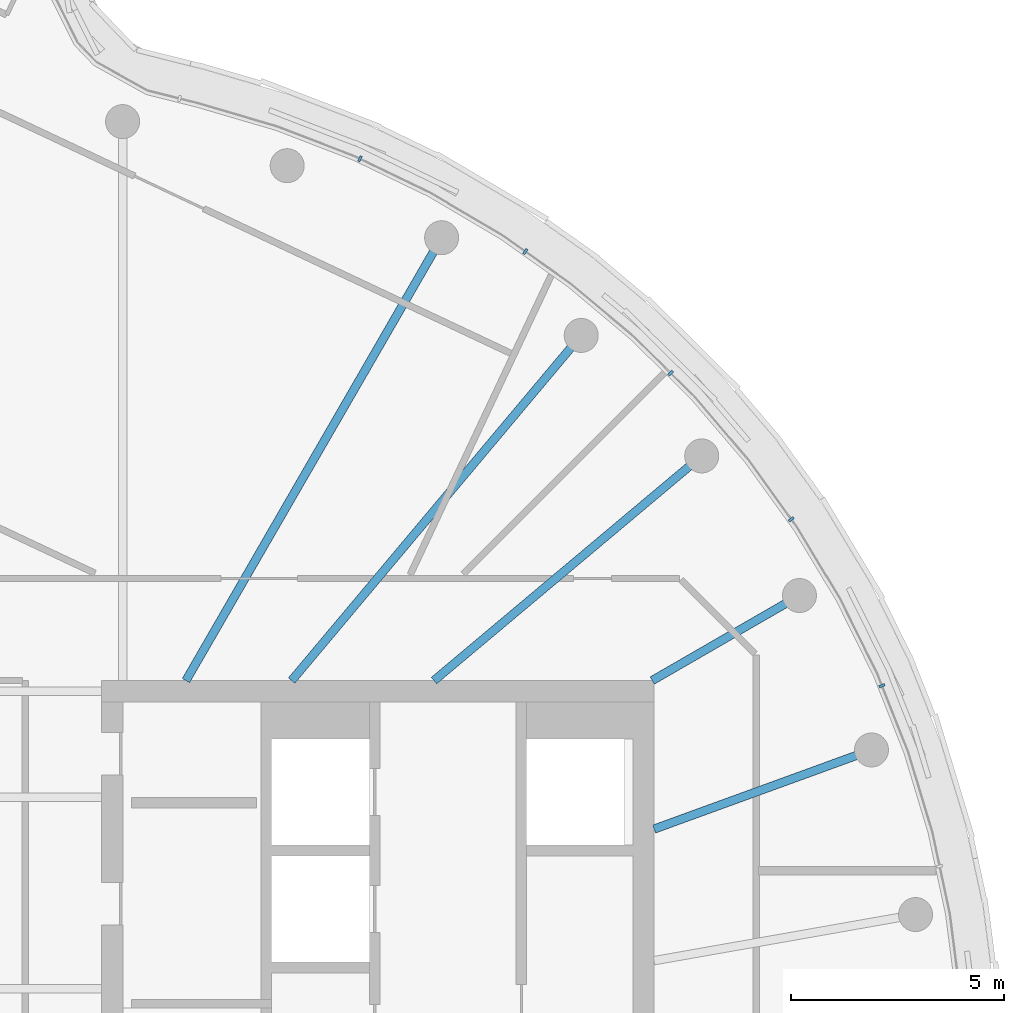
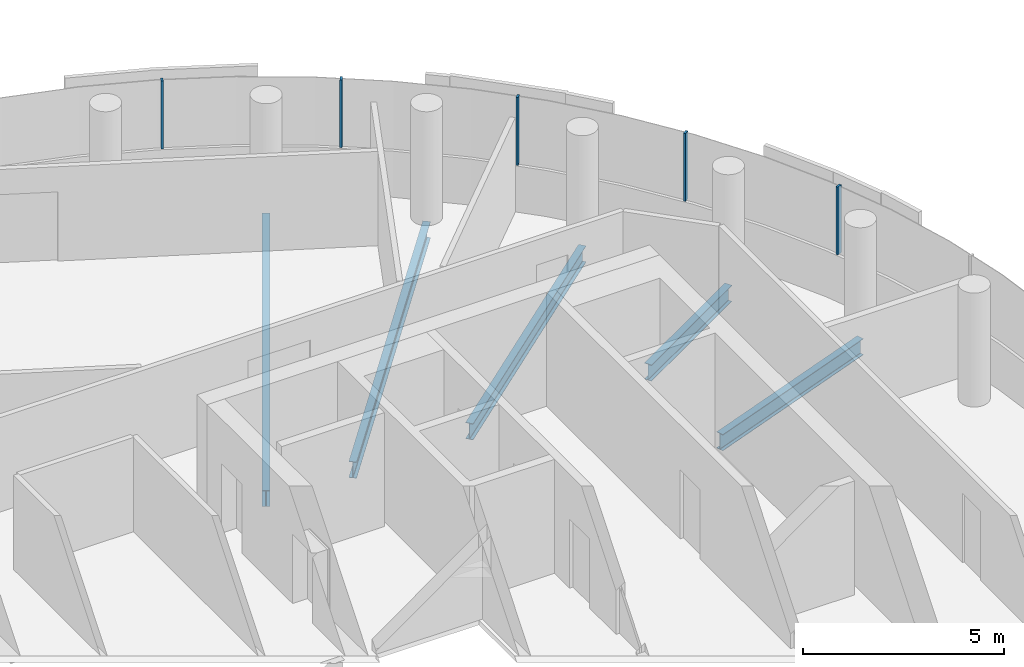
# One storey, part 11 of 21: 5 beams, 5 members, 1 element without a shape of its own.
"""IFC4 building model written with IfcOpenShell, lengths in metres."""

from ifc_helpers import new_model, si_unit, direction, frame, origin, origin_2d, place, context, subcontext, project, spatial, rectangle, i_section, extrude, material, layer, layer_set, material_profile, profile_set, type_object, element, aggregate, save


model = new_model("IFC4")

# Units and contexts
model_context = context("Model", 3, precision=1e-05, world=origin(), true_north=direction((0.0, 1.0)))
body_context = subcontext(model_context, "Body", "Model", "MODEL_VIEW")
ifc_project = project(units=[si_unit("LENGTHUNIT", "METRE"), si_unit("AREAUNIT", "SQUARE_METRE"), si_unit("VOLUMEUNIT", "CUBIC_METRE"), si_unit("PLANEANGLEUNIT", "RADIAN"), si_unit("MASSUNIT", "GRAM", prefix="KILO")], contexts=[model_context])

# Site, building, storey
site_placement = place(None, origin())
site = spatial("IfcSite", under=ifc_project, at=site_placement, CompositionType="ELEMENT")
building_placement = place(site_placement, origin())
building = spatial("IfcBuilding", under=site, at=building_placement, Name="Tamarind Cross Interchange Tower", CompositionType="ELEMENT")
storey_placement = place(building_placement, frame((0.0, 0.0, 267.60009765625)))
storey = spatial("IfcBuildingStorey", under=building, at=storey_placement, Name="L68", CompositionType="ELEMENT", Elevation=267.60009765625)

# Beams
ifc_material_1 = material(Name="Steel Q355B", Category="steel")
ifc_material_profile_1 = material_profile(ifc_material_1, i_section(OverallWidth=0.198974609375, OverallDepth=0.49609375, WebThickness=0.009033203125, FlangeThickness=0.013916015625, FilletRadius=0.012939453125, at=origin_2d()), Name="HN 496x199x9x14")
ifc_profile_set_1 = profile_set([ifc_material_profile_1], Name="Steel Q355B")
beam_type = type_object("IfcBeamType", Name="Composite beam HN 496x199x9x14 Q355B", PredefinedType="BEAM", material=ifc_profile_set_1)
beam_1_placement = place(storey_placement, frame((21.613037109375, 7.866455078125, -0.38818359375), z_axis=(-0.939701685589, -0.341995236956, 0.0), x_axis=(0.341995236956, -0.939701685589, 0.0)))
element("IfcBeam", 1, at=beam_1_placement, inside=storey, type_object=beam_type, Name="Beam HH02", PredefinedType="BEAM", context=body_context, shape_type="SweptSolid", body=[
    extrude(i_section(OverallWidth=0.198974609375, OverallDepth=0.49609375, WebThickness=0.009033203125, FlangeThickness=0.013916015625, FilletRadius=0.012939453125, at=origin_2d()), origin(), (0.0, 0.0, 1.0), 5.441162109375),
])
beam_2_placement = place(storey_placement, frame((19.918701171875, 11.5, -0.38818359375), z_axis=(-0.866026010844, -0.49999894854, 0.0), x_axis=(0.49999894854, -0.866026010844, 0.0)))
element("IfcBeam", 2, at=beam_2_placement, inside=storey, type_object=beam_type, Name="Beam HH03", PredefinedType="BEAM", context=body_context, shape_type="SweptSolid", body=[
    extrude(i_section(OverallWidth=0.198974609375, OverallDepth=0.49609375, WebThickness=0.009033203125, FlangeThickness=0.013916015625, FilletRadius=0.012939453125, at=origin_2d()), origin(), (0.0, 0.0, 1.0), 4.0),
])
beam_3_placement = place(storey_placement, frame((17.619140625, 14.7841796875, -0.38818359375), z_axis=(-0.766040580814, -0.642792212574, 0.0), x_axis=(0.642792212574, -0.766040580814, 0.0)))
element("IfcBeam", 3, at=beam_3_placement, inside=storey, type_object=beam_type, Name="Beam HH04", PredefinedType="BEAM", context=body_context, shape_type="SweptSolid", body=[
    extrude(i_section(OverallWidth=0.198974609375, OverallDepth=0.49609375, WebThickness=0.009033203125, FlangeThickness=0.013916015625, FilletRadius=0.012939453125, at=origin_2d()), origin(), (0.0, 0.0, 1.0), 8.220703125),
])
beam_4_placement = place(storey_placement, frame((14.7841796875, 17.619140625, -0.38818359375), z_axis=(-0.642786293979, -0.766045547127, 0.0), x_axis=(0.766045547127, -0.642786293979, 0.0)))
element("IfcBeam", 4, at=beam_4_placement, inside=storey, type_object=beam_type, Name="Beam HH05", PredefinedType="BEAM", context=body_context, shape_type="SweptSolid", body=[
    extrude(i_section(OverallWidth=0.198974609375, OverallDepth=0.49609375, WebThickness=0.009033203125, FlangeThickness=0.013916015625, FilletRadius=0.012939453125, at=origin_2d()), origin(), (0.0, 0.0, 1.0), 10.598876953125),
])
beam_5_placement = place(storey_placement, frame((11.5, 19.918701171875, -0.38818359375), z_axis=(-0.499993565836, -0.866029118519, 0.0), x_axis=(0.866029118519, -0.499993565836, 0.0)))
element("IfcBeam", 5, at=beam_5_placement, inside=storey, type_object=beam_type, Name="Beam HH06", PredefinedType="BEAM", context=body_context, shape_type="SweptSolid", body=[
    extrude(i_section(OverallWidth=0.198974609375, OverallDepth=0.49609375, WebThickness=0.009033203125, FlangeThickness=0.013916015625, FilletRadius=0.012939453125, at=origin_2d()), origin(), (0.0, 0.0, 1.0), 12.030517578125),
])

# Curtain wall, members
ifc_material_2 = material(Name="Aluminium 6063-T6", Category="aluminium")
ifc_layer = layer(ifc_material_2, 0.139892578125)
ifc_layer_set = layer_set([ifc_layer], Name="Aluminium 6063-T6")
curtain_wall_type = type_object("IfcCurtainWallType", Name="Hotel curtain wall, 4.5 m bays", PredefinedType="NOTDEFINED", material=ifc_layer_set)
curtain_wall_placement = place(storey_placement, origin())
curtain_wall = element("IfcCurtainWall", 6, at=curtain_wall_placement, inside=storey, type_object=curtain_wall_type, Name="CWS-L68-01", PredefinedType="NOTDEFINED")
ifc_material_profile_2 = material_profile(ifc_material_2, rectangle(XDim=0.06005859375, YDim=0.139892578125, at=origin_2d()), Name="Mullion CW2")
ifc_profile_set_2 = profile_set([ifc_material_profile_2], Name="Aluminium 6063-T6")
member_type = type_object("IfcMemberType", Name="Mullion CW2", PredefinedType="MULLION", material=ifc_profile_set_2)
member_1_placement = place(storey_placement, frame((21.85888671875, 9.37744140625, 1.39990234375), z_axis=(0.0, 0.0, 1.0), x_axis=(-0.367513773146, 0.930018078613, 0.0)))
member_1 = element("IfcMember", 7, at=member_1_placement, type_object=member_type, Name="CWM-L68-01-24", PredefinedType="MULLION", context=body_context, shape_type="SweptSolid", body=[
    extrude(rectangle(XDim=0.06005859375, YDim=0.139892578125, at=origin_2d()), origin(), (0.0, 0.0, 1.0), 2.06005859375),
])
member_2_placement = place(storey_placement, frame((19.72607421875, 13.29345703125, 1.39990234375), z_axis=(0.0, 0.0, 1.0), x_axis=(-0.584573890505, 0.811340475102, 0.0)))
member_2 = element("IfcMember", 8, at=member_2_placement, type_object=member_type, Name="CWM-L68-01-25", PredefinedType="MULLION", context=body_context, shape_type="SweptSolid", body=[
    extrude(rectangle(XDim=0.06005859375, YDim=0.139892578125, at=origin_2d()), origin(), (0.0, 0.0, 1.0), 2.06005859375),
])
member_3_placement = place(storey_placement, frame((16.889892578125, 16.734619140625, 1.39990234375), z_axis=(0.0, 0.0, 1.0), x_axis=(-0.710143317658, 0.704057148523, 0.0)))
member_3 = element("IfcMember", 9, at=member_3_placement, type_object=member_type, Name="CWM-L68-01-26", PredefinedType="MULLION", context=body_context, shape_type="SweptSolid", body=[
    extrude(rectangle(XDim=0.06005859375, YDim=0.139892578125, at=origin_2d()), origin(), (0.0, 0.0, 1.0), 2.06005859375),
])
member_4_placement = place(storey_placement, frame((13.469482421875, 19.5947265625, 1.39990234375), z_axis=(0.0, 0.0, 1.0), x_axis=(-0.816341886298, 0.577568978284, 0.0)))
member_4 = element("IfcMember", 10, at=member_4_placement, type_object=member_type, Name="CWM-L68-01-27", PredefinedType="MULLION", context=body_context, shape_type="SweptSolid", body=[
    extrude(rectangle(XDim=0.06005859375, YDim=0.139892578125, at=origin_2d()), origin(), (0.0, 0.0, 1.0), 2.06005859375),
])
member_5_placement = place(storey_placement, frame((9.580078125, 21.776611328125, 1.39990234375), z_axis=(0.0, 0.0, 1.0), x_axis=(-0.900272776334, 0.435326231914, 0.0)))
member_5 = element("IfcMember", 11, at=member_5_placement, type_object=member_type, Name="CWM-L68-01-28", PredefinedType="MULLION", context=body_context, shape_type="SweptSolid", body=[
    extrude(rectangle(XDim=0.06005859375, YDim=0.139892578125, at=origin_2d()), origin(), (0.0, 0.0, 1.0), 2.06005859375),
])
aggregate(curtain_wall, [member_1, member_2, member_3, member_4, member_5])

save(model, "model.ifc")
